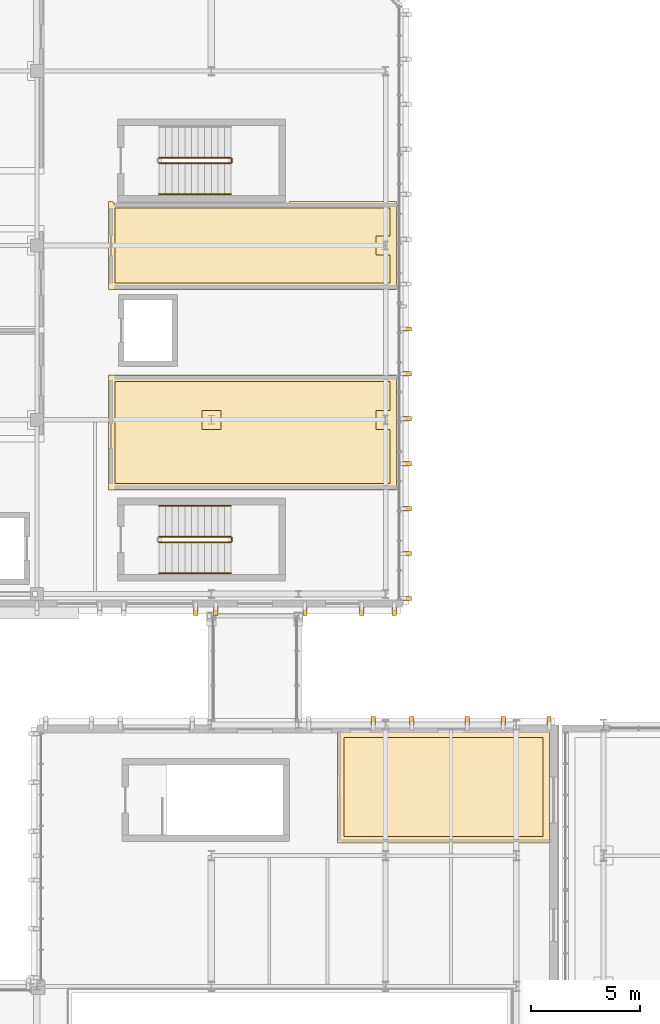
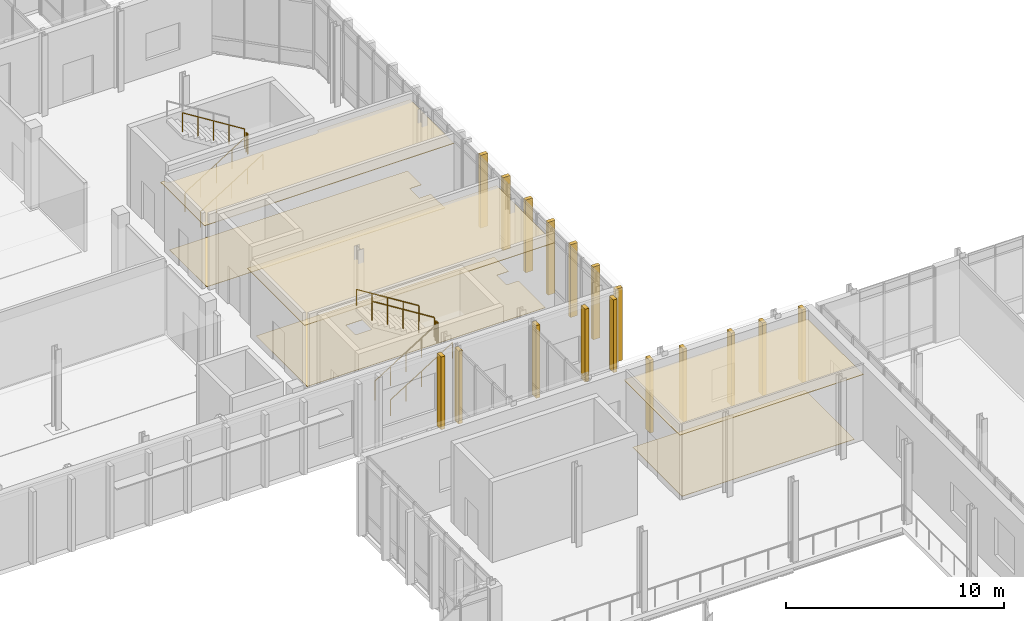
# One storey, part 88 of 100: 23 coverings, 9 railings.
"""IFC4 building model written with IfcOpenShell, lengths in metres."""

import ifcopenshell
import ifcopenshell.guid

model = None  # the IFC model being written
_history = None  # IfcOwnerHistory: only IFC2X3 demands one
_inside = {}  # id of a spatial element -> (the spatial element, [elements in it])
_under = {}  # id of a project, library or spatial element -> (it, [spatial elements below it])
_declared = {}  # id of a project -> (the project, [libraries it declares])
_typed = {}  # id of a type object -> (the type object, [elements of that type])
_made_of = {}  # id of a material, layer set ... -> (it, [elements and type objects made of it])


def new_model(schema):
    """Start an empty IFC model of exactly this schema.

    Asked for "IFC4X3", IfcOpenShell would pick the latest addendum, in which some entities
    have other attributes; the version numbers below select the first issue.
    IFC2X3 requires an IfcOwnerHistory on every rooted entity: one is made here for all.
    """
    global model, _history
    if schema == "IFC4X3":
        model = ifcopenshell.file(schema_version=(4, 3, 0, 0))
    else:
        model = ifcopenshell.file(schema=schema)
    _inside.clear()
    _under.clear()
    _declared.clear()
    _typed.clear()
    _made_of.clear()
    _history = None
    if model.schema == "IFC2X3":
        org = make("IfcOrganization", Name="unknown")
        user = make(
            "IfcPersonAndOrganization",
            ThePerson=make("IfcPerson", FamilyName="unknown"),
            TheOrganization=org,
        )
        app = make(
            "IfcApplication",
            ApplicationDeveloper=org,
            Version="unknown",
            ApplicationFullName="unknown",
            ApplicationIdentifier="unknown",
        )
        _history = make(
            "IfcOwnerHistory",
            OwningUser=user,
            OwningApplication=app,
            ChangeAction="ADDED",
            CreationDate=0,
        )
    return model


def make(cls, **values):
    """One entity of the class cls with the attributes given. An attribute that is None is left unset."""
    return model.create_entity(
        cls, **{name: value for name, value in values.items() if value is not None}
    )


def rooted(cls, **values):
    """An entity with a GlobalId (a new one), such as an element, a storey or a relation."""
    return make(cls, GlobalId=ifcopenshell.guid.new(), OwnerHistory=_history, **values)


def si_unit(unit_type, name, prefix=None):
    """IfcSIUnit, for example si_unit("LENGTHUNIT", "METRE", prefix="MILLI")."""
    return make("IfcSIUnit", UnitType=unit_type, Prefix=prefix, Name=name)


def assignment(units):
    """IfcUnitAssignment: the units of a project."""
    return None if units is None else make("IfcUnitAssignment", Units=units)


def point(xyz):
    """IfcCartesianPoint."""
    return None if xyz is None else make("IfcCartesianPoint", Coordinates=xyz)


def direction(xyz):
    """IfcDirection."""
    return None if xyz is None else make("IfcDirection", DirectionRatios=xyz)


def frame(location, z_axis=None, x_axis=None):
    """IfcAxis2Placement3D, a coordinate frame: its origin and axes. An axis left out is left unset."""
    return make(
        "IfcAxis2Placement3D",
        Location=point(location),
        Axis=direction(z_axis),
        RefDirection=direction(x_axis),
    )


def frame_2d(location, x_axis=None):
    """IfcAxis2Placement2D, a coordinate frame in the plane: its origin and x axis."""
    return make(
        "IfcAxis2Placement2D", Location=point(location), RefDirection=direction(x_axis)
    )


def origin():
    """The frame at (0, 0, 0) with its axes left unset."""
    return frame((0.0, 0.0, 0.0))


def origin_2d():
    """The frame at (0, 0) in the plane with its x axis left unset."""
    return frame_2d((0.0, 0.0))


def place(relative_to, where):
    """IfcLocalPlacement: puts the frame where relative to a parent placement (None: the world)."""
    return make(
        "IfcLocalPlacement", PlacementRelTo=relative_to, RelativePlacement=where
    )


def context(
    kind, dimensions, precision=None, world=None, true_north=None, identifier=None
):
    """IfcGeometricRepresentationContext, for example the 3D "Model" context."""
    return make(
        "IfcGeometricRepresentationContext",
        ContextIdentifier=identifier,
        ContextType=kind,
        CoordinateSpaceDimension=dimensions,
        Precision=precision,
        WorldCoordinateSystem=world,
        TrueNorth=true_north,
    )


def subcontext(parent, identifier, kind, view, scale=None):
    """IfcGeometricRepresentationSubContext, for example "Body" below "Model"."""
    return make(
        "IfcGeometricRepresentationSubContext",
        ContextIdentifier=identifier,
        ContextType=kind,
        ParentContext=parent,
        TargetScale=scale,
        TargetView=view,
    )


def project(units=None, contexts=None):
    """IfcProject with its units and contexts."""
    return rooted(
        "IfcProject",
        Name="project",
        RepresentationContexts=contexts,
        UnitsInContext=assignment(units),
    )


def spatial(cls, under=None, at=None, **own):
    """A site, building, storey or space (cls), placed at a placement, below another one or the project."""
    s = rooted(cls, ObjectPlacement=at, **own)
    if under is not None:
        _under.setdefault(under.id(), (under, []))[1].append(s)
    return s


def polyline(points):
    """IfcPolyline through the points."""
    return make("IfcPolyline", Points=[point(p) for p in points])


def profile(cls, at=None, kind="AREA", **sizes):
    """A parametric profile (cls). Its sizes go by their IFC names, for example OverallWidth=200.0."""
    return make(cls, ProfileType=kind, Position=at, **sizes)


def rectangle(**sizes):
    """IfcRectangleProfileDef."""
    return profile("IfcRectangleProfileDef", **sizes)


def circle(**sizes):
    """IfcCircleProfileDef."""
    return profile("IfcCircleProfileDef", **sizes)


def outline(outer, holes=None, kind="AREA"):
    """IfcArbitraryClosedProfileDef: a profile drawn as a closed curve; with holes, ...WithVoids."""
    if holes is None:
        return make("IfcArbitraryClosedProfileDef", ProfileType=kind, OuterCurve=outer)
    return make(
        "IfcArbitraryProfileDefWithVoids",
        ProfileType=kind,
        OuterCurve=outer,
        InnerCurves=holes,
    )


def extrude(swept, where, along, depth):
    """IfcExtrudedAreaSolid: the profile swept, set in the frame where, extruded along a direction by depth."""
    return make(
        "IfcExtrudedAreaSolid",
        SweptArea=swept,
        Position=where,
        ExtrudedDirection=direction(along),
        Depth=depth,
    )


def shape(context_of_items, identifier, shape_type, items):
    """IfcShapeRepresentation: the items that make up one representation, for example the "Body"."""
    return make(
        "IfcShapeRepresentation",
        ContextOfItems=context_of_items,
        RepresentationIdentifier=identifier,
        RepresentationType=shape_type,
        Items=items,
    )


def material(Name=None, Category=None):
    """IfcMaterial."""
    return make("IfcMaterial", Name=Name, Category=Category)


def layer(
    of_material, thickness, ventilated=None, Name=None, Category=None, Priority=None
):
    """IfcMaterialLayer: one layer of a wall or slab, of a material (None: an air gap)."""
    return make(
        "IfcMaterialLayer",
        Material=of_material,
        LayerThickness=thickness,
        IsVentilated=ventilated,
        Name=Name,
        Category=Category,
        Priority=Priority,
    )


def layer_set(layers, Name=None):
    """IfcMaterialLayerSet."""
    return make("IfcMaterialLayerSet", MaterialLayers=layers, LayerSetName=Name)


def made_of(thing, what):
    """Note that an element or type object is made of a material, layer set ...; save() writes the relation."""
    if what is not None:
        _made_of.setdefault(what.id(), (what, []))[1].append(thing)
    return thing


def type_object(cls, material=None, **own):
    """A type object (cls), such as IfcWallType, which elements share."""
    return made_of(rooted(cls, **own), material)


def element(
    cls,
    number,
    at=None,
    inside=None,
    cuts=None,
    type_object=None,
    material=None,
    context=None,
    identifier="Body",
    shape_type=None,
    held_by="IfcProductDefinitionShape",
    body=None,
    shapes=None,
    **own,
):
    """One element of the class cls, such as IfcWall. Its Tag is "e" and its number.

    at: its placement. inside: the storey or other place that contains it. cuts: it is an
    opening in that element (IfcRelVoidsElement). A single representation is given by context,
    identifier, shape_type and body (its items); several are given by shapes. held_by: the class
    of the entity that holds the representations. save() writes the other relations.
    """
    e = rooted(cls, Tag="e%d" % number, ObjectPlacement=at, **own)
    if body is not None:
        shapes = [shape(context, identifier, shape_type, body)]
    if shapes is not None:
        e.Representation = make(held_by, Representations=shapes)
    if inside is not None:
        _inside.setdefault(inside.id(), (inside, []))[1].append(e)
    if cuts is not None:
        rooted(
            "IfcRelVoidsElement", RelatingBuildingElement=cuts, RelatedOpeningElement=e
        )
    if type_object is not None:
        _typed.setdefault(type_object.id(), (type_object, []))[1].append(e)
    return made_of(e, material)


def aggregate(whole, parts):
    """IfcRelAggregates: a whole, such as a stair, and the parts it consists of."""
    return rooted("IfcRelAggregates", RelatingObject=whole, RelatedObjects=parts)


def save(model, path):
    """Write the relations noted so far, then the file.

    IfcRelAggregates (storeys below a building ...), IfcRelContainedInSpatialStructure (elements
    in a storey), IfcRelDefinesByType, IfcRelAssociatesMaterial and IfcRelDeclares: one each for
    every whole, place, type object, material and project.
    """
    for whole, parts in _under.values():
        aggregate(whole, parts)
    for where, things in _inside.values():
        rooted(
            "IfcRelContainedInSpatialStructure",
            RelatedElements=things,
            RelatingStructure=where,
        )
    for kind, things in _typed.values():
        rooted("IfcRelDefinesByType", RelatedObjects=things, RelatingType=kind)
    for what, things in _made_of.values():
        rooted("IfcRelAssociatesMaterial", RelatedObjects=things, RelatingMaterial=what)
    for by, libraries in _declared.values():
        rooted("IfcRelDeclares", RelatingContext=by, RelatedDefinitions=libraries)
    model.write(path)


model = new_model("IFC4")

# Units and contexts
model_context = context("Model", 3, precision=1e-05, world=origin(), true_north=direction((0.0, 1.0)))
body_context = subcontext(model_context, "Body", "Model", "MODEL_VIEW")
ifc_project = project(units=[si_unit("LENGTHUNIT", "METRE"), si_unit("AREAUNIT", "SQUARE_METRE"), si_unit("VOLUMEUNIT", "CUBIC_METRE"), si_unit("PLANEANGLEUNIT", "RADIAN"), si_unit("MASSUNIT", "GRAM", prefix="KILO")], contexts=[model_context])

# Site, building, storey
site_placement = place(None, origin())
site = spatial("IfcSite", under=ifc_project, at=site_placement, CompositionType="ELEMENT")
building_placement = place(site_placement, origin())
building = spatial("IfcBuilding", under=site, at=building_placement, Name="Cymarion Research Institute", CompositionType="ELEMENT")
storey_placement = place(building_placement, frame((0.0, 0.0, 9.300048828125)))
storey = spatial("IfcBuildingStorey", under=building, at=storey_placement, Name="L02", CompositionType="ELEMENT", Elevation=9.300048828125)

# Coverings
ifc_material_1 = material(Name="Micro-perforated mineral acoustic ceiling tile", Category="gypsum")
ifc_layer_1 = layer(ifc_material_1, 0.030029296875)
ifc_layer_set_1 = layer_set([ifc_layer_1], Name="Micro-perforated mineral acoustic ceiling tile")
covering_type_1 = type_object("IfcCoveringType", Name="ACOUSTIC MICRO-PERFORATED SUSPENDED CEILING CLG-01", PredefinedType="CEILING", material=ifc_layer_set_1)
covering_1_placement = place(storey_placement, frame((0.0, 0.0, 3.699951171875)))
element("IfcCovering", 1, at=covering_1_placement, inside=storey, type_object=covering_type_1, Name="L02 L02 Simultaneous Interpretation & Projection Suite acoustic ceiling", PredefinedType="CEILING", context=body_context, shape_type="SweptSolid", body=[
    extrude(outline(polyline([(54.114990234375, 41.215087890625), (54.114990234375, 36.0849609375), (44.385009765625, 36.0849609375), (44.385009765625, 41.215087890625), (54.114990234375, 41.215087890625)])), origin(), (0.0, 0.0, 1.0), 0.030029296875),
])
covering_2_placement = place(storey_placement, frame((0.0, 0.0, 3.699951171875)))
element("IfcCovering", 2, at=covering_2_placement, inside=storey, type_object=covering_type_1, Name="L02 L02 Gas Cabinet & Thin-Film Deposition Laboratory acoustic ceiling", PredefinedType="CEILING", context=body_context, shape_type="SweptSolid", body=[
    extrude(outline(polyline([(47.094970703125, 57.56494140625), (47.094970703125, 52.284912109375), (33.885009765625, 52.284912109375), (33.885009765625, 57.56494140625), (47.094970703125, 57.56494140625)])), origin(), (0.0, 0.0, 1.0), 0.030029296875),
])
covering_3_placement = place(storey_placement, frame((0.0, 0.0, 3.699951171875)))
element("IfcCovering", 3, at=covering_3_placement, inside=storey, type_object=covering_type_1, Name="L02 L02 Accessible WC and Cleanroom Staff Washrooms acoustic ceiling", PredefinedType="CEILING", context=body_context, shape_type="SweptSolid", body=[
    extrude(outline(polyline([(34.10009765625, 65.514892578125), (34.10009765625, 65.5), (34.10107421875, 65.48046875), (34.103759765625, 65.4609375), (34.108642578125, 65.44189453125), (34.115234375, 65.423583984375), (34.12353515625, 65.40576171875), (34.1337890625, 65.388916015625), (34.1455078125, 65.373046875), (34.15869140625, 65.358642578125), (34.173095703125, 65.345458984375), (34.18896484375, 65.333740234375), (34.205810546875, 65.323486328125), (34.223388671875, 65.315185546875), (34.241943359375, 65.30859375), (34.260986328125, 65.3037109375), (34.280517578125, 65.301025390625), (34.300048828125, 65.300048828125), (42.0, 65.300048828125), (42.01953125, 65.301025390625), (42.0390625, 65.3037109375), (42.05810546875, 65.30859375), (42.076416015625, 65.315185546875), (42.09423828125, 65.323486328125), (42.111083984375, 65.333740234375), (42.126953125, 65.345458984375), (42.141357421875, 65.358642578125), (42.154541015625, 65.373046875), (42.166259765625, 65.388916015625), (42.176513671875, 65.40576171875), (42.184814453125, 65.423583984375), (42.19140625, 65.44189453125), (42.1962890625, 65.4609375), (42.198974609375, 65.48046875), (42.199951171875, 65.5), (42.199951171875, 65.514892578125), (47.094970703125, 65.514892578125), (47.094970703125, 61.485107421875), (33.885009765625, 61.485107421875), (33.885009765625, 65.514892578125), (34.10009765625, 65.514892578125)])), origin(), (0.0, 0.0, 1.0), 0.030029296875),
])

# Railings
ifc_material_2 = material(Name="Steel S355", Category="steel")
railing_type_1 = type_object("IfcRailingType", Name="PAINTED STEEL STAIR GUARDRAIL GR1 1100MM", PredefinedType="GUARDRAIL", material=ifc_material_2)
railing_1_placement = place(storey_placement, frame((36.199951171875, 49.8701171875, 0.1875)))
element("IfcRailing", 4, at=railing_1_placement, inside=storey, type_object=railing_type_1, Name="L02 ST7 stair guard 1", PredefinedType="GUARDRAIL", context=body_context, shape_type="SweptSolid", body=[
    extrude(circle(Radius=0.02392578125, at=origin_2d()), frame((0.0, 0.0, 1.076171875), z_axis=(0.848001828478, 0.0, 0.529993300805), x_axis=(0.0, 1.0, 0.0)), (0.0, 0.0, 1.0), 3.8916015625),
    extrude(circle(Radius=0.02099609375, at=origin_2d()), origin(), (0.0, 0.0, 1.0), 1.052001953125),
    extrude(circle(Radius=0.02099609375, at=origin_2d()), frame((0.824951171875, 0.0, 0.515625)), (0.0, 0.0, 1.0), 1.052001953125),
    extrude(circle(Radius=0.02099609375, at=origin_2d()), frame((1.64990234375, 0.0, 1.03125)), (0.0, 0.0, 1.0), 1.052001953125),
    extrude(circle(Radius=0.02099609375, at=origin_2d()), frame((2.47509765625, 0.0, 1.546875)), (0.0, 0.0, 1.0), 1.052001953125),
    extrude(circle(Radius=0.02099609375, at=origin_2d()), frame((3.300048828125, 0.0, 2.0625)), (0.0, 0.0, 1.0), 1.052001953125),
])
railing_2_placement = place(storey_placement, frame((39.550048828125, 49.919921875, 2.25)))
element("IfcRailing", 5, at=railing_2_placement, inside=storey, type_object=railing_type_1, Name="L02 ST7 stair guard 2", PredefinedType="GUARDRAIL", context=body_context, shape_type="SweptSolid", body=[
    extrude(circle(Radius=0.02392578125, at=origin_2d()), frame((0.0, 0.0, 1.076171875), z_axis=(0.0, 1.0, 0.0), x_axis=(-1.0, 0.0, 0.0)), (0.0, 0.0, 1.0), 0.16015625),
    extrude(circle(Radius=0.02099609375, at=origin_2d()), origin(), (0.0, 0.0, 1.0), 1.052001953125),
    extrude(circle(Radius=0.02099609375, at=origin_2d()), frame((0.0, 0.16015625, 0.0)), (0.0, 0.0, 1.0), 1.052001953125),
])
railing_3_placement = place(storey_placement, frame((39.5, 50.1298828125, 2.4375)))
element("IfcRailing", 6, at=railing_3_placement, inside=storey, type_object=railing_type_1, Name="L02 ST7 stair guard 3", PredefinedType="GUARDRAIL", context=body_context, shape_type="SweptSolid", body=[
    extrude(circle(Radius=0.02392578125, at=origin_2d()), frame((0.0, 0.0, 1.076171875), z_axis=(-0.848001828478, 0.0, 0.529993300805), x_axis=(0.0, -1.0, 0.0)), (0.0, 0.0, 1.0), 3.8916015625),
    extrude(circle(Radius=0.02099609375, at=origin_2d()), origin(), (0.0, 0.0, 1.0), 1.052001953125),
    extrude(circle(Radius=0.02099609375, at=origin_2d()), frame((-0.824951171875, 0.0, 0.515625)), (0.0, 0.0, 1.0), 1.052001953125),
    extrude(circle(Radius=0.02099609375, at=origin_2d()), frame((-1.64990234375, 0.0, 1.03125)), (0.0, 0.0, 1.0), 1.052001953125),
    extrude(circle(Radius=0.02099609375, at=origin_2d()), frame((-2.47509765625, 0.0, 1.546875)), (0.0, 0.0, 1.0), 1.052001953125),
    extrude(circle(Radius=0.02099609375, at=origin_2d()), frame((-3.300048828125, 0.0, 2.0625)), (0.0, 0.0, 1.0), 1.052001953125),
])
railing_4_placement = place(storey_placement, frame((36.199951171875, 67.27001953125, 0.1875)))
element("IfcRailing", 7, at=railing_4_placement, inside=storey, type_object=railing_type_1, Name="L02 ST8 stair guard 1", PredefinedType="GUARDRAIL", context=body_context, shape_type="SweptSolid", body=[
    extrude(circle(Radius=0.02392578125, at=origin_2d()), frame((0.0, 0.0, 1.076171875), z_axis=(0.848001828478, 0.0, 0.529993300805), x_axis=(0.0, 1.0, 0.0)), (0.0, 0.0, 1.0), 3.8916015625),
    extrude(circle(Radius=0.02099609375, at=origin_2d()), origin(), (0.0, 0.0, 1.0), 1.052001953125),
    extrude(circle(Radius=0.02099609375, at=origin_2d()), frame((0.824951171875, 0.0, 0.515625)), (0.0, 0.0, 1.0), 1.052001953125),
    extrude(circle(Radius=0.02099609375, at=origin_2d()), frame((1.64990234375, 0.0, 1.03125)), (0.0, 0.0, 1.0), 1.052001953125),
    extrude(circle(Radius=0.02099609375, at=origin_2d()), frame((2.47509765625, 0.0, 1.546875)), (0.0, 0.0, 1.0), 1.052001953125),
    extrude(circle(Radius=0.02099609375, at=origin_2d()), frame((3.300048828125, 0.0, 2.0625)), (0.0, 0.0, 1.0), 1.052001953125),
])
railing_5_placement = place(storey_placement, frame((39.550048828125, 67.320068359375, 2.25)))
element("IfcRailing", 8, at=railing_5_placement, inside=storey, type_object=railing_type_1, Name="L02 ST8 stair guard 2", PredefinedType="GUARDRAIL", context=body_context, shape_type="SweptSolid", body=[
    extrude(circle(Radius=0.02392578125, at=origin_2d()), frame((0.0, 0.0, 1.076171875), z_axis=(0.0, 1.0, 0.0), x_axis=(-1.0, 0.0, 0.0)), (0.0, 0.0, 1.0), 0.159912109375),
    extrude(circle(Radius=0.02099609375, at=origin_2d()), origin(), (0.0, 0.0, 1.0), 1.052001953125),
    extrude(circle(Radius=0.02099609375, at=origin_2d()), frame((0.0, 0.159912109375, 0.0)), (0.0, 0.0, 1.0), 1.052001953125),
])
railing_6_placement = place(storey_placement, frame((39.5, 67.530029296875, 2.4375)))
element("IfcRailing", 9, at=railing_6_placement, inside=storey, type_object=railing_type_1, Name="L02 ST8 stair guard 3", PredefinedType="GUARDRAIL", context=body_context, shape_type="SweptSolid", body=[
    extrude(circle(Radius=0.02392578125, at=origin_2d()), frame((0.0, 0.0, 1.076171875), z_axis=(-0.848001828478, 0.0, 0.529993300805), x_axis=(0.0, -1.0, 0.0)), (0.0, 0.0, 1.0), 3.8916015625),
    extrude(circle(Radius=0.02099609375, at=origin_2d()), origin(), (0.0, 0.0, 1.0), 1.052001953125),
    extrude(circle(Radius=0.02099609375, at=origin_2d()), frame((-0.824951171875, 0.0, 0.515625)), (0.0, 0.0, 1.0), 1.052001953125),
    extrude(circle(Radius=0.02099609375, at=origin_2d()), frame((-1.64990234375, 0.0, 1.03125)), (0.0, 0.0, 1.0), 1.052001953125),
    extrude(circle(Radius=0.02099609375, at=origin_2d()), frame((-2.47509765625, 0.0, 1.546875)), (0.0, 0.0, 1.0), 1.052001953125),
    extrude(circle(Radius=0.02099609375, at=origin_2d()), frame((-3.300048828125, 0.0, 2.0625)), (0.0, 0.0, 1.0), 1.052001953125),
])

# Coverings
ifc_material_3 = material(Name="Precast concrete C45/55 architectural white", Category="concrete")
ifc_layer_2 = layer(ifc_material_3, 0.199951171875)
ifc_layer_set_2 = layer_set([ifc_layer_2], Name="Precast concrete C45/55 architectural white")
covering_type_2 = type_object("IfcCoveringType", Name="SCULPTURAL WHITE PRECAST CONCRETE VERTICAL RIB RIB1 380X200", PredefinedType="CLADDING", material=ifc_layer_set_2)
for number, where, z_axis, x_axis, name in (
    (10, (54.10009765625, 41.69189453125, 0.009765625), (0.0, 0.0, 1.0), (0.0, 1.0, 0.0), "L02 V3 sculptural precast vertical rib RIB1 #469"),
    (11, (52.0, 41.69189453125, 0.009765625), (0.0, 0.0, 1.0), (0.0, 1.0, 0.0), "L02 V3 sculptural precast vertical rib RIB1 #470"),
    (12, (50.35009765625, 41.69189453125, 0.009765625), (0.0, 0.0, 1.0), (0.0, 1.0, 0.0), "L02 V3 sculptural precast vertical rib RIB1 #471"),
    (13, (47.800048828125, 41.69189453125, 0.009765625), (0.0, 0.0, 1.0), (0.0, 1.0, 0.0), "L02 V3 sculptural precast vertical rib RIB1 #472"),
    (14, (46.030029296875, 41.69189453125, 0.009765625), (0.0, 0.0, 1.0), (0.0, 1.0, 0.0), "L02 V3 sculptural precast vertical rib RIB1 #473"),
    (15, (37.8798828125, 46.7080078125, 0.009765625), (0.0, 0.0, 1.0), (0.0, -1.0, 0.0), "L02 V4 sculptural precast vertical rib RIB1 #529"),
    (16, (38.800048828125, 46.7080078125, 0.009765625), (0.0, 0.0, 1.0), (0.0, -1.0, 0.0), "L02 V4 sculptural precast vertical rib RIB1 #530"),
    (17, (42.89990234375, 46.7080078125, 0.009765625), (0.0, 0.0, 1.0), (0.0, -1.0, 0.0), "L02 V4 sculptural precast vertical rib RIB1 #531"),
    (18, (45.5, 46.7080078125, 0.009765625), (0.0, 0.0, 1.0), (0.0, -1.0, 0.0), "L02 V4 sculptural precast vertical rib RIB1 #532"),
    (19, (47.0, 46.7080078125, 0.009765625), (0.0, 0.0, 1.0), (0.0, -1.0, 0.0), "L02 V4 sculptural precast vertical rib RIB1 #533"),
    (20, (47.592041015625, 47.300048828125, 0.009765625), (0.0, 0.0, 1.0), (1.0, 0.0, 0.0), "L02 V4 sculptural precast vertical rib RIB1 #535"),
    (21, (47.592041015625, 49.361572265625, 0.009765625), (0.0, 0.0, 1.0), (1.0, 0.0, 0.0), "L02 V4 sculptural precast vertical rib RIB1 #536"),
    (22, (47.592041015625, 51.423095703125, 0.009765625), (0.0, 0.0, 1.0), (1.0, 0.0, 0.0), "L02 V4 sculptural precast vertical rib RIB1 #537"),
    (23, (47.592041015625, 53.484619140625, 0.009765625), (0.0, 0.0, 1.0), (1.0, 0.0, 0.0), "L02 V4 sculptural precast vertical rib RIB1 #538"),
    (24, (47.592041015625, 55.546142578125, 0.009765625), (0.0, 0.0, 1.0), (1.0, 0.0, 0.0), "L02 V4 sculptural precast vertical rib RIB1 #539"),
    (25, (47.592041015625, 57.607666015625, 0.009765625), (0.0, 0.0, 1.0), (1.0, 0.0, 0.0), "L02 V4 sculptural precast vertical rib RIB1 #540"),
    (26, (47.592041015625, 59.669189453125, 0.009765625), (0.0, 0.0, 1.0), (1.0, 0.0, 0.0), "L02 V4 sculptural precast vertical rib RIB1 #541"),
):
    element("IfcCovering", number, at=place(storey_placement, frame(where, z_axis=z_axis, x_axis=x_axis)), inside=storey, type_object=covering_type_2, Name=name, PredefinedType="CLADDING", context=body_context, shape_type="SweptSolid", body=[
        extrude(rectangle(XDim=0.3798828125, YDim=0.199951171875, at=origin_2d()), origin(), (0.0, 0.0, 1.0), 4.074951171875),
    ])
ifc_material_4 = material(Name="Seamless dissipative epoxy resin flooring", Category="resin")
ifc_layer_3 = layer(ifc_material_4, 0.02001953125)
ifc_layer_set_3 = layer_set([ifc_layer_3], Name="Seamless dissipative epoxy resin flooring")
covering_type_3 = type_object("IfcCoveringType", Name="SEAMLESS ESD EPOXY LABORATORY FLOORING FLR-01", PredefinedType="FLOORING", material=ifc_layer_set_3)
covering_4_placement = place(storey_placement, origin())
element("IfcCovering", 27, at=covering_4_placement, inside=storey, type_object=covering_type_3, Name="L02 L02 Simultaneous Interpretation & Projection Suite ESD epoxy flooring", PredefinedType="FLOORING", context=body_context, shape_type="SweptSolid", body=[
    extrude(outline(polyline([(44.68505859375, 40.9150390625), (53.81494140625, 40.9150390625), (53.81494140625, 36.385009765625), (44.68505859375, 36.385009765625), (44.68505859375, 40.9150390625)])), origin(), (0.0, 0.0, 1.0), 0.02001953125),
])
covering_5_placement = place(storey_placement, origin())
element("IfcCovering", 28, at=covering_5_placement, inside=storey, type_object=covering_type_3, Name="L02 L02 Gas Cabinet & Thin-Film Deposition Laboratory ESD epoxy flooring", PredefinedType="FLOORING", context=body_context, shape_type="SweptSolid", body=[
    extrude(outline(polyline([(34.18505859375, 57.264892578125), (46.794921875, 57.264892578125), (46.794921875, 55.93505859375), (46.1650390625, 55.93505859375), (46.1650390625, 55.06494140625), (46.794921875, 55.06494140625), (46.794921875, 52.5849609375), (34.18505859375, 52.5849609375), (34.18505859375, 57.264892578125)]), holes=[polyline([(39.034912109375, 55.93505859375), (38.1650390625, 55.93505859375), (38.1650390625, 55.06494140625), (39.034912109375, 55.06494140625), (39.034912109375, 55.93505859375)])]), origin(), (0.0, 0.0, 1.0), 0.02001953125),
])
covering_6_placement = place(storey_placement, origin())
element("IfcCovering", 29, at=covering_6_placement, inside=storey, type_object=covering_type_3, Name="L02 L02 Accessible WC and Cleanroom Staff Washrooms ESD epoxy flooring", PredefinedType="FLOORING", context=body_context, shape_type="SweptSolid", body=[
    extrude(outline(polyline([(34.18505859375, 65.215087890625), (46.794921875, 65.215087890625), (46.794921875, 63.93505859375), (46.1650390625, 63.93505859375), (46.1650390625, 63.06494140625), (46.794921875, 63.06494140625), (46.794921875, 61.784912109375), (34.18505859375, 61.784912109375), (34.18505859375, 65.215087890625)])), origin(), (0.0, 0.0, 1.0), 0.02001953125),
])

# Railings
railing_type_2 = type_object("IfcRailingType", Name="STAINLESS STEEL STAIR HANDRAIL HR1 900MM", PredefinedType="HANDRAIL", material=ifc_material_2)
railing_7_placement = place(storey_placement, frame((36.199951171875, 48.449951171875, 0.1875)))
element("IfcRailing", 30, at=railing_7_placement, inside=storey, type_object=railing_type_2, Name="L02 ST7 stair handrail 1", PredefinedType="HANDRAIL", context=body_context, shape_type="SweptSolid", body=[
    extrude(circle(Radius=0.02392578125, at=origin_2d()), frame((0.0, 0.0, 0.8759765625), z_axis=(0.848001828478, 0.0, 0.529993300805), x_axis=(0.0, 1.0, 0.0)), (0.0, 0.0, 1.0), 3.8916015625),
    extrude(circle(Radius=0.02099609375, at=origin_2d()), origin(), (0.0, 0.0, 1.0), 0.851806640625),
    extrude(circle(Radius=0.02099609375, at=origin_2d()), frame((0.824951171875, 0.0, 0.515625)), (0.0, 0.0, 1.0), 0.851806640625),
    extrude(circle(Radius=0.02099609375, at=origin_2d()), frame((1.64990234375, 0.0, 1.03125)), (0.0, 0.0, 1.0), 0.851806640625),
    extrude(circle(Radius=0.02099609375, at=origin_2d()), frame((2.47509765625, 0.0, 1.546875)), (0.0, 0.0, 1.0), 0.851806640625),
    extrude(circle(Radius=0.02099609375, at=origin_2d()), frame((3.300048828125, 0.0, 2.0625)), (0.0, 0.0, 1.0), 0.851806640625),
])
railing_8_placement = place(storey_placement, frame((39.5, 51.550048828125, 2.4375)))
element("IfcRailing", 31, at=railing_8_placement, inside=storey, type_object=railing_type_2, Name="L02 ST7 stair handrail 2", PredefinedType="HANDRAIL", context=body_context, shape_type="SweptSolid", body=[
    extrude(circle(Radius=0.02392578125, at=origin_2d()), frame((0.0, 0.0, 0.8759765625), z_axis=(-0.848001828478, 0.0, 0.529993300805), x_axis=(0.0, -1.0, 0.0)), (0.0, 0.0, 1.0), 3.8916015625),
    extrude(circle(Radius=0.02099609375, at=origin_2d()), origin(), (0.0, 0.0, 1.0), 0.851806640625),
    extrude(circle(Radius=0.02099609375, at=origin_2d()), frame((-0.824951171875, 0.0, 0.515625)), (0.0, 0.0, 1.0), 0.851806640625),
    extrude(circle(Radius=0.02099609375, at=origin_2d()), frame((-1.64990234375, 0.0, 1.03125)), (0.0, 0.0, 1.0), 0.851806640625),
    extrude(circle(Radius=0.02099609375, at=origin_2d()), frame((-2.47509765625, 0.0, 1.546875)), (0.0, 0.0, 1.0), 0.851806640625),
    extrude(circle(Radius=0.02099609375, at=origin_2d()), frame((-3.300048828125, 0.0, 2.0625)), (0.0, 0.0, 1.0), 0.851806640625),
])
railing_9_placement = place(storey_placement, frame((36.199951171875, 65.85009765625, 0.1875)))
element("IfcRailing", 32, at=railing_9_placement, inside=storey, type_object=railing_type_2, Name="L02 ST8 stair handrail 1", PredefinedType="HANDRAIL", context=body_context, shape_type="SweptSolid", body=[
    extrude(circle(Radius=0.02392578125, at=origin_2d()), frame((0.0, 0.0, 0.8759765625), z_axis=(0.848001828478, 0.0, 0.529993300805), x_axis=(0.0, 1.0, 0.0)), (0.0, 0.0, 1.0), 3.8916015625),
    extrude(circle(Radius=0.02099609375, at=origin_2d()), origin(), (0.0, 0.0, 1.0), 0.851806640625),
    extrude(circle(Radius=0.02099609375, at=origin_2d()), frame((0.824951171875, 0.0, 0.515625)), (0.0, 0.0, 1.0), 0.851806640625),
    extrude(circle(Radius=0.02099609375, at=origin_2d()), frame((1.64990234375, 0.0, 1.03125)), (0.0, 0.0, 1.0), 0.851806640625),
    extrude(circle(Radius=0.02099609375, at=origin_2d()), frame((2.47509765625, 0.0, 1.546875)), (0.0, 0.0, 1.0), 0.851806640625),
    extrude(circle(Radius=0.02099609375, at=origin_2d()), frame((3.300048828125, 0.0, 2.0625)), (0.0, 0.0, 1.0), 0.851806640625),
])

save(model, "model.ifc")
